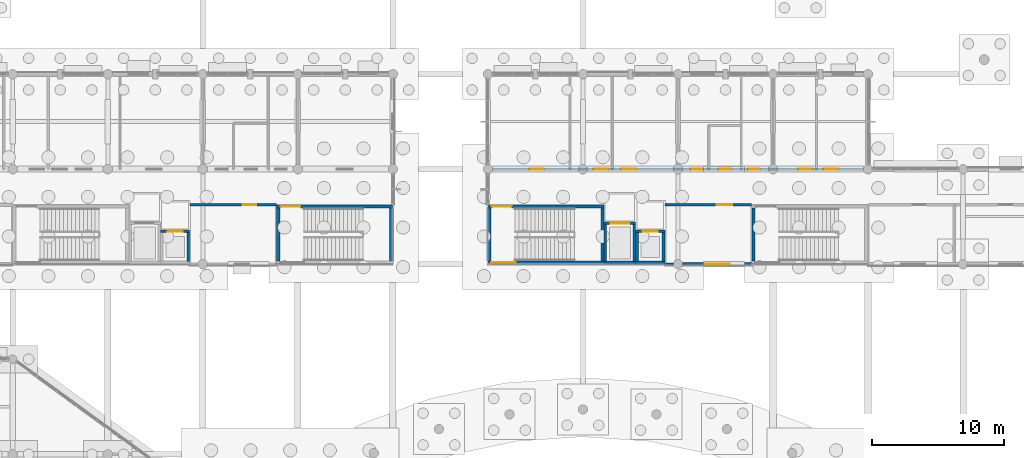
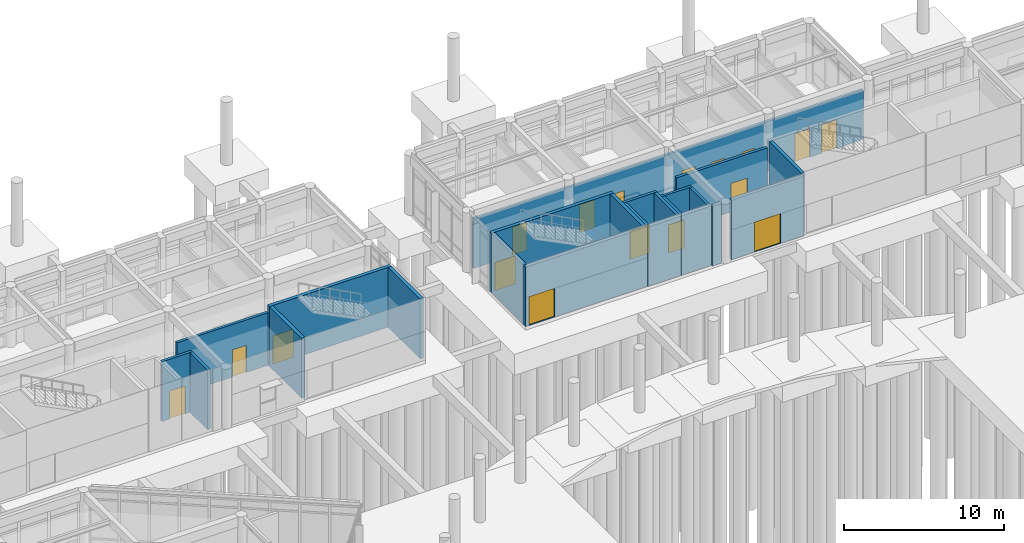
# One storey, part 59 of 103: 23 walls, 17 doors, 17 openings.
"""IFC4 building model written with IfcOpenShell, lengths in metres."""

from ifc_helpers import new_model, si_unit, direction, frame, frame_2d, origin, place, context, subcontext, project, spatial, rectangle, extrude, material, layer, layer_set, type_object, element, fill, save


model = new_model("IFC4")

# Units and contexts
model_context = context("Model", 3, precision=1e-05, world=origin(), true_north=direction((0.0, 1.0)))
body_context = subcontext(model_context, "Body", "Model", "MODEL_VIEW")
ifc_project = project(units=[si_unit("LENGTHUNIT", "METRE"), si_unit("AREAUNIT", "SQUARE_METRE"), si_unit("VOLUMEUNIT", "CUBIC_METRE"), si_unit("PLANEANGLEUNIT", "RADIAN"), si_unit("MASSUNIT", "GRAM", prefix="KILO")], contexts=[model_context])

# Site, building, storey
site_placement = place(None, origin())
site = spatial("IfcSite", under=ifc_project, at=site_placement, CompositionType="ELEMENT")
building_placement = place(site_placement, origin())
building = spatial("IfcBuilding", under=site, at=building_placement, Name="Namkhue Oval Health Centre", CompositionType="ELEMENT")
storey_placement = place(building_placement, origin())
storey = spatial("IfcBuildingStorey", under=building, at=storey_placement, Name="L00", CompositionType="ELEMENT", Elevation=0.0)

# Wall
ifc_material_1 = material(Name="Autoclaved aerated concrete blockwork M7.5", Category="masonry")
ifc_layer_1 = layer(ifc_material_1, 0.2099609375)
ifc_layer_set_1 = layer_set([ifc_layer_1], Name="Autoclaved aerated concrete blockwork M7.5")
wall_type_1 = type_object("IfcWallType", Name="EXTERIOR ENVELOPE WALL 210", PredefinedType="STANDARD", material=ifc_layer_set_1)
wall_1_placement = place(storey_placement, frame((107.001953125, 90.0, 0.0), z_axis=(0.0, 0.0, 1.0), x_axis=(1.0, 0.0, 0.0)))
element("IfcWall", 1, at=wall_1_placement, inside=storey, type_object=wall_type_1, Name="Volume V3 L00 Exterior Envelope Wall 52", PredefinedType="STANDARD", context=body_context, shape_type="SweptSolid", body=[
    extrude(rectangle(XDim=0.653076171875, YDim=0.2099609375, at=frame_2d((0.32666015625, 0.0))), origin(), (0.0, 0.0, 1.0), 4.534912109375),
])

# Wall, opening, door
ifc_layer_2 = layer(ifc_material_1, 0.219970703125)
ifc_layer_set_2 = layer_set([ifc_layer_2], Name="Autoclaved aerated concrete blockwork M7.5")
wall_type_2 = type_object("IfcWallType", Name="EXTERIOR ENVELOPE WALL 220", PredefinedType="STANDARD", material=ifc_layer_set_2)
wall_2_placement = place(storey_placement, frame((108.344970703125, 90.0, 0.0), z_axis=(0.0, 0.0, 1.0), x_axis=(1.0, 0.0, 0.0)))
wall_2 = element("IfcWall", 2, at=wall_2_placement, inside=storey, type_object=wall_type_2, Name="Volume V3 L00 Exterior Envelope Wall 53", PredefinedType="STANDARD", context=body_context, shape_type="SweptSolid", body=[
    extrude(rectangle(XDim=5.2529296875, YDim=0.219970703125, at=frame_2d((2.62646484375, 0.0))), origin(), (0.0, 0.0, 1.0), 4.534912109375),
])
opening_1_placement = place(wall_2_placement, frame((1.676513671875, 0.0, 0.0)))
opening_1 = element("IfcOpeningElement", 3, at=opening_1_placement, cuts=wall_2, Name="Opening ED-01", PredefinedType="OPENING", context=body_context, shape_type="SweptSolid", body=[
    extrude(rectangle(XDim=1.89990234375, YDim=2.280029296875, at=frame_2d((0.949951171875, 1.14013671875))), frame((0.0, 0.119873046875, 0.0), z_axis=(0.0, -1.0, 0.0), x_axis=(1.0, 0.0, 0.0)), (0.0, 0.0, 1.0), 0.239990234375),
])
ifc_material_2 = material(Name="Anodised aluminium glazed entrance door", Category="aluminium")
door_type_1 = type_object("IfcDoorType", Name="ENTRANCE DOOR 1900X2280", OperationType="DOUBLE_DOOR_SINGLE_SWING", PredefinedType="DOOR", material=ifc_material_2)
door_1_placement = place(opening_1_placement, frame((1.89990234375, 0.0, 0.0), z_axis=(0.0, 0.0, 1.0), x_axis=(-1.0, 0.0, 0.0)))
door_1 = element("IfcDoor", 4, at=door_1_placement, inside=storey, type_object=door_type_1, Name="Volume V3 Main Pedestrian Entrance Exit Door 7", OperationType="DOUBLE_DOOR_SINGLE_SWING", OverallHeight=2.280029296875, OverallWidth=1.89990234375, PredefinedType="DOOR", context=body_context, shape_type="SweptSolid", body=[
    extrude(rectangle(XDim=1.89990234375, YDim=2.280029296875, at=frame_2d((0.949951171875, 1.14013671875))), frame((0.0, 0.02490234375, 0.0), z_axis=(0.0, -1.0, 0.0), x_axis=(1.0, 0.0, 0.0)), (0.0, 0.0, 1.0), 0.050048828125),
])
fill(opening_1, door_1)

# Wall, openings, doors
ifc_material_3 = material(Name="Gypsum plasterboard acoustic partition", Category="gypsum")
ifc_layer_3 = layer(ifc_material_3, 0.18505859375)
ifc_layer_set_3 = layer_set([ifc_layer_3], Name="Gypsum plasterboard acoustic partition")
wall_type_3 = type_object("IfcWallType", Name="FIRE PARTITION WALL 185", PredefinedType="PARTITIONING", material=ifc_layer_set_3)
wall_3_placement = place(storey_placement, frame((93.949951171875, 97.199951171875, 0.0), z_axis=(0.0, 0.0, 1.0), x_axis=(1.0, 0.0, 0.0)))
wall_3 = element("IfcWall", 5, at=wall_3_placement, inside=storey, type_object=wall_type_3, Name="Volume V3 L00 Clinical Partition Wall 100", PredefinedType="PARTITIONING", context=body_context, shape_type="SweptSolid", body=[
    extrude(rectangle(XDim=28.10009765625, YDim=0.18505859375, at=frame_2d((14.050048828125, 0.0))), origin(), (0.0, 0.0, 1.0), 3.784912109375),
])
opening_2_placement = place(wall_3_placement, frame((2.8369140625, 0.0, 0.0)))
opening_2 = element("IfcOpeningElement", 6, at=opening_2_placement, cuts=wall_3, Name="Opening CD-10", PredefinedType="OPENING", context=body_context, shape_type="SweptSolid", body=[
    extrude(rectangle(XDim=1.050048828125, YDim=2.1298828125, at=frame_2d((0.52490234375, 1.06494140625))), frame((0.0, 0.1025390625, 0.0), z_axis=(0.0, -1.0, 0.0), x_axis=(1.0, 0.0, 0.0)), (0.0, 0.0, 1.0), 0.205078125),
])
opening_3_placement = place(wall_3_placement, frame((7.678955078125, 0.0, 0.0)))
opening_3 = element("IfcOpeningElement", 7, at=opening_3_placement, cuts=wall_3, Name="Opening CD-11", PredefinedType="OPENING", context=body_context, shape_type="SweptSolid", body=[
    extrude(rectangle(XDim=1.10009765625, YDim=2.1298828125, at=frame_2d((0.550048828125, 1.06494140625))), frame((0.0, 0.1025390625, 0.0), z_axis=(0.0, -1.0, 0.0), x_axis=(1.0, 0.0, 0.0)), (0.0, 0.0, 1.0), 0.205078125),
])
opening_4_placement = place(wall_3_placement, frame((9.7470703125, 0.0, 0.0)))
opening_4 = element("IfcOpeningElement", 8, at=opening_4_placement, cuts=wall_3, Name="Opening CD-12", PredefinedType="OPENING", context=body_context, shape_type="SweptSolid", body=[
    extrude(rectangle(XDim=1.14990234375, YDim=2.1298828125, at=frame_2d((0.574951171875, 1.06494140625))), frame((0.0, 0.1025390625, 0.0), z_axis=(0.0, -1.0, 0.0), x_axis=(1.0, 0.0, 0.0)), (0.0, 0.0, 1.0), 0.205078125),
])
opening_5_placement = place(wall_3_placement, frame((15.030029296875, 0.0, 0.0)))
opening_5 = element("IfcOpeningElement", 9, at=opening_5_placement, cuts=wall_3, Name="Opening CD-13", PredefinedType="OPENING", context=body_context, shape_type="SweptSolid", body=[
    extrude(rectangle(XDim=0.919921875, YDim=2.179931640625, at=frame_2d((0.4599609375, 1.08984375))), frame((0.0, 0.1025390625, 0.0), z_axis=(0.0, -1.0, 0.0), x_axis=(1.0, 0.0, 0.0)), (0.0, 0.0, 1.0), 0.205078125),
])
opening_6_placement = place(wall_3_placement, frame((17.14990234375, 0.0, 0.0)))
opening_6 = element("IfcOpeningElement", 10, at=opening_6_placement, cuts=wall_3, Name="Opening CD-02", PredefinedType="OPENING", context=body_context, shape_type="SweptSolid", body=[
    extrude(rectangle(XDim=0.93994140625, YDim=2.080078125, at=frame_2d((0.469970703125, 1.0400390625))), frame((0.0, 0.1025390625, 0.0), z_axis=(0.0, -1.0, 0.0), x_axis=(1.0, 0.0, 0.0)), (0.0, 0.0, 1.0), 0.205078125),
])
opening_7_placement = place(wall_3_placement, frame((19.360107421875, 0.0, 0.0)))
opening_7 = element("IfcOpeningElement", 11, at=opening_7_placement, cuts=wall_3, Name="Opening CD-01", PredefinedType="OPENING", context=body_context, shape_type="SweptSolid", body=[
    extrude(rectangle(XDim=0.89990234375, YDim=2.080078125, at=frame_2d((0.449951171875, 1.0400390625))), frame((0.0, 0.1025390625, 0.0), z_axis=(0.0, -1.0, 0.0), x_axis=(1.0, 0.0, 0.0)), (0.0, 0.0, 1.0), 0.205078125),
])
opening_8_placement = place(wall_3_placement, frame((23.1669921875, 0.0, 0.0)))
opening_8 = element("IfcOpeningElement", 12, at=opening_8_placement, cuts=wall_3, Name="Opening CD-16", PredefinedType="OPENING", context=body_context, shape_type="SweptSolid", body=[
    extrude(rectangle(XDim=1.080078125, YDim=2.179931640625, at=frame_2d((0.5400390625, 1.08984375))), frame((0.0, 0.1025390625, 0.0), z_axis=(0.0, -1.0, 0.0), x_axis=(1.0, 0.0, 0.0)), (0.0, 0.0, 1.0), 0.205078125),
])
opening_9_placement = place(wall_3_placement, frame((25.072021484375, 0.0, 0.0)))
opening_9 = element("IfcOpeningElement", 13, at=opening_9_placement, cuts=wall_3, Name="Opening CD-17", PredefinedType="OPENING", context=body_context, shape_type="SweptSolid", body=[
    extrude(rectangle(XDim=1.1298828125, YDim=2.179931640625, at=frame_2d((0.56494140625, 1.08984375))), frame((0.0, 0.1025390625, 0.0), z_axis=(0.0, -1.0, 0.0), x_axis=(1.0, 0.0, 0.0)), (0.0, 0.0, 1.0), 0.205078125),
])
ifc_material_4 = material(Name="High-pressure laminate timber clinical door", Category="wood")
door_type_2 = type_object("IfcDoorType", Name="CLINICAL DOOR 1050X2130", OperationType="NOTDEFINED", PredefinedType="DOOR", material=ifc_material_4)
door_2_placement = place(opening_2_placement, origin())
door_2 = element("IfcDoor", 14, at=door_2_placement, inside=storey, type_object=door_type_2, Name="Volume V3 L00 Specialist Outpatient Reception Door 82", OperationType="SINGLE_SWING_RIGHT", OverallHeight=2.1298828125, OverallWidth=1.050048828125, PredefinedType="DOOR", context=body_context, shape_type="SweptSolid", body=[
    extrude(rectangle(XDim=1.050048828125, YDim=2.1298828125, at=frame_2d((0.52490234375, 1.06494140625))), frame((0.0, 0.02490234375, 0.0), z_axis=(0.0, -1.0, 0.0), x_axis=(1.0, 0.0, 0.0)), (0.0, 0.0, 1.0), 0.050048828125),
])
fill(opening_2, door_2)
door_type_3 = type_object("IfcDoorType", Name="CLINICAL DOOR 1080X2180", OperationType="NOTDEFINED", PredefinedType="DOOR", material=ifc_material_4)
door_3_placement = place(opening_8_placement, origin())
door_3 = element("IfcDoor", 15, at=door_3_placement, inside=storey, type_object=door_type_3, Name="Volume V3 L00 Audiology ENT Examination Door 88", OperationType="SINGLE_SWING_RIGHT", OverallHeight=2.179931640625, OverallWidth=1.080078125, PredefinedType="DOOR", context=body_context, shape_type="SweptSolid", body=[
    extrude(rectangle(XDim=1.080078125, YDim=2.179931640625, at=frame_2d((0.5400390625, 1.08984375))), frame((0.0, 0.02490234375, 0.0), z_axis=(0.0, -1.0, 0.0), x_axis=(1.0, 0.0, 0.0)), (0.0, 0.0, 1.0), 0.050048828125),
])
fill(opening_8, door_3)
door_type_4 = type_object("IfcDoorType", Name="CLINICAL DOOR 1100X2130", OperationType="NOTDEFINED", PredefinedType="DOOR", material=ifc_material_4)
door_4_placement = place(opening_3_placement, origin())
door_4 = element("IfcDoor", 16, at=door_4_placement, inside=storey, type_object=door_type_4, Name="Volume V3 L00 Communications Plant Room Door 83", OperationType="SINGLE_SWING_RIGHT", OverallHeight=2.1298828125, OverallWidth=1.10009765625, PredefinedType="DOOR", context=body_context, shape_type="SweptSolid", body=[
    extrude(rectangle(XDim=1.10009765625, YDim=2.1298828125, at=frame_2d((0.550048828125, 1.06494140625))), frame((0.0, 0.02490234375, 0.0), z_axis=(0.0, -1.0, 0.0), x_axis=(1.0, 0.0, 0.0)), (0.0, 0.0, 1.0), 0.050048828125),
])
fill(opening_3, door_4)
door_type_5 = type_object("IfcDoorType", Name="CLINICAL DOOR 1130X2180", OperationType="NOTDEFINED", PredefinedType="DOOR", material=ifc_material_4)
door_5_placement = place(opening_9_placement, origin())
door_5 = element("IfcDoor", 17, at=door_5_placement, inside=storey, type_object=door_type_5, Name="Volume V3 L00 Cardiology Echocardiography Room Door 89", OperationType="SINGLE_SWING_LEFT", OverallHeight=2.179931640625, OverallWidth=1.1298828125, PredefinedType="DOOR", context=body_context, shape_type="SweptSolid", body=[
    extrude(rectangle(XDim=1.1298828125, YDim=2.179931640625, at=frame_2d((0.56494140625, 1.08984375))), frame((0.0, 0.02490234375, 0.0), z_axis=(0.0, -1.0, 0.0), x_axis=(1.0, 0.0, 0.0)), (0.0, 0.0, 1.0), 0.050048828125),
])
fill(opening_9, door_5)
door_type_6 = type_object("IfcDoorType", Name="CLINICAL DOOR 1150X2130", OperationType="NOTDEFINED", PredefinedType="DOOR", material=ifc_material_4)
door_6_placement = place(opening_4_placement, origin())
door_6 = element("IfcDoor", 18, at=door_6_placement, inside=storey, type_object=door_type_6, Name="Volume V3 L00 Ophthalmology Vision Clinic Door 84", OperationType="SINGLE_SWING_RIGHT", OverallHeight=2.1298828125, OverallWidth=1.14990234375, PredefinedType="DOOR", context=body_context, shape_type="SweptSolid", body=[
    extrude(rectangle(XDim=1.14990234375, YDim=2.1298828125, at=frame_2d((0.574951171875, 1.06494140625))), frame((0.0, 0.02490234375, 0.0), z_axis=(0.0, -1.0, 0.0), x_axis=(1.0, 0.0, 0.0)), (0.0, 0.0, 1.0), 0.050048828125),
])
fill(opening_4, door_6)
door_type_7 = type_object("IfcDoorType", Name="CLINICAL DOOR 900X2080", OperationType="NOTDEFINED", PredefinedType="DOOR", material=ifc_material_4)
door_7_placement = place(opening_7_placement, origin())
door_7 = element("IfcDoor", 19, at=door_7_placement, inside=storey, type_object=door_type_7, Name="Volume V3 L00 Public Washroom Door 87", OperationType="SINGLE_SWING_LEFT", OverallHeight=2.080078125, OverallWidth=0.89990234375, PredefinedType="DOOR", context=body_context, shape_type="SweptSolid", body=[
    extrude(rectangle(XDim=0.89990234375, YDim=2.080078125, at=frame_2d((0.449951171875, 1.0400390625))), frame((0.0, 0.02490234375, 0.0), z_axis=(0.0, -1.0, 0.0), x_axis=(1.0, 0.0, 0.0)), (0.0, 0.0, 1.0), 0.050048828125),
])
fill(opening_7, door_7)
door_type_8 = type_object("IfcDoorType", Name="CLINICAL DOOR 920X2180", OperationType="NOTDEFINED", PredefinedType="DOOR", material=ifc_material_4)
door_8_placement = place(opening_5_placement, origin())
door_8 = element("IfcDoor", 20, at=door_8_placement, inside=storey, type_object=door_type_8, Name="Volume V3 L00 Outpatient Clean Utility Room Door 85", OperationType="SINGLE_SWING_RIGHT", OverallHeight=2.179931640625, OverallWidth=0.919921875, PredefinedType="DOOR", context=body_context, shape_type="SweptSolid", body=[
    extrude(rectangle(XDim=0.919921875, YDim=2.179931640625, at=frame_2d((0.4599609375, 1.08984375))), frame((0.0, 0.02490234375, 0.0), z_axis=(0.0, -1.0, 0.0), x_axis=(1.0, 0.0, 0.0)), (0.0, 0.0, 1.0), 0.050048828125),
])
fill(opening_5, door_8)
door_type_9 = type_object("IfcDoorType", Name="CLINICAL DOOR 940X2080", OperationType="NOTDEFINED", PredefinedType="DOOR", material=ifc_material_4)
door_9_placement = place(opening_6_placement, origin())
door_9 = element("IfcDoor", 21, at=door_9_placement, inside=storey, type_object=door_type_9, Name="Volume V3 L00 Accessible WC Door 86", OperationType="SINGLE_SWING_RIGHT", OverallHeight=2.080078125, OverallWidth=0.93994140625, PredefinedType="DOOR", context=body_context, shape_type="SweptSolid", body=[
    extrude(rectangle(XDim=0.93994140625, YDim=2.080078125, at=frame_2d((0.469970703125, 1.0400390625))), frame((0.0, 0.02490234375, 0.0), z_axis=(0.0, -1.0, 0.0), x_axis=(1.0, 0.0, 0.0)), (0.0, 0.0, 1.0), 0.050048828125),
])
fill(opening_6, door_9)

# Wall, opening, door
ifc_layer_4 = layer(ifc_material_3, 0.195068359375)
ifc_layer_set_4 = layer_set([ifc_layer_4], Name="Gypsum plasterboard acoustic partition")
wall_type_4 = type_object("IfcWallType", Name="FIRE PARTITION WALL 195", PredefinedType="PARTITIONING", material=ifc_layer_set_4)
wall_4_placement = place(storey_placement, frame((71.02001953125, 94.5, 0.0), z_axis=(0.0, 0.0, 1.0), x_axis=(1.0, 0.0, 0.0)))
wall_4 = element("IfcWall", 22, at=wall_4_placement, inside=storey, type_object=wall_type_4, Name="Volume V2 L00 Clinical Partition Wall 45", PredefinedType="PARTITIONING", context=body_context, shape_type="SweptSolid", body=[
    extrude(rectangle(XDim=6.56005859375, YDim=0.195068359375, at=frame_2d((3.280029296875, 0.0))), origin(), (0.0, 0.0, 1.0), 4.010009765625),
])
opening_10_placement = place(wall_4_placement, frame((4.010009765625, 0.0, 0.0)))
opening_10 = element("IfcOpeningElement", 23, at=opening_10_placement, cuts=wall_4, Name="Opening CD-04", PredefinedType="OPENING", context=body_context, shape_type="SweptSolid", body=[
    extrude(rectangle(XDim=1.02001953125, YDim=2.080078125, at=frame_2d((0.510009765625, 1.0400390625))), frame((0.0, 0.107421875, 0.0), z_axis=(0.0, -1.0, 0.0), x_axis=(1.0, 0.0, 0.0)), (0.0, 0.0, 1.0), 0.215087890625),
])
door_type_10 = type_object("IfcDoorType", Name="CLINICAL DOOR 1020X2080", OperationType="NOTDEFINED", PredefinedType="DOOR", material=ifc_material_4)
door_10_placement = place(opening_10_placement, frame((1.02001953125, 0.0, 0.0), z_axis=(0.0, 0.0, 1.0), x_axis=(-1.0, 0.0, 0.0)))
door_10 = element("IfcDoor", 24, at=door_10_placement, inside=storey, type_object=door_type_10, Name="Volume V2 L00 Fever Screening Examination Room Door 32", OperationType="SINGLE_SWING_RIGHT", OverallHeight=2.080078125, OverallWidth=1.02001953125, PredefinedType="DOOR", context=body_context, shape_type="SweptSolid", body=[
    extrude(rectangle(XDim=1.02001953125, YDim=2.080078125, at=frame_2d((0.510009765625, 1.0400390625))), frame((0.0, 0.02490234375, 0.0), z_axis=(0.0, -1.0, 0.0), x_axis=(1.0, 0.0, 0.0)), (0.0, 0.0, 1.0), 0.050048828125),
])
fill(opening_10, door_10)

ifc_layer_5 = layer(ifc_material_3, 0.205078125)
ifc_layer_set_5 = layer_set([ifc_layer_5], Name="Gypsum plasterboard acoustic partition")
wall_type_5 = type_object("IfcWallType", Name="FIRE PARTITION WALL 205", PredefinedType="PARTITIONING", material=ifc_layer_set_5)
wall_5_placement = place(storey_placement, frame((107.02001953125, 94.5, 0.0), z_axis=(0.0, 0.0, 1.0), x_axis=(1.0, 0.0, 0.0)))
wall_5 = element("IfcWall", 25, at=wall_5_placement, inside=storey, type_object=wall_type_5, Name="Volume V3 L00 Clinical Partition Wall 109", PredefinedType="PARTITIONING", context=body_context, shape_type="SweptSolid", body=[
    extrude(rectangle(XDim=6.56005859375, YDim=0.205078125, at=frame_2d((3.280029296875, 0.0))), origin(), (0.0, 0.0, 1.0), 3.985107421875),
])
opening_11_placement = place(wall_5_placement, frame((3.929931640625, 0.0, 0.0)))
opening_11 = element("IfcOpeningElement", 26, at=opening_11_placement, cuts=wall_5, Name="Opening CD-18", PredefinedType="OPENING", context=body_context, shape_type="SweptSolid", body=[
    extrude(rectangle(XDim=1.179931640625, YDim=2.179931640625, at=frame_2d((0.58984375, 1.08984375))), frame((0.0, 0.112548828125, 0.0), z_axis=(0.0, -1.0, 0.0), x_axis=(1.0, 0.0, 0.0)), (0.0, 0.0, 1.0), 0.22509765625),
])
door_type_11 = type_object("IfcDoorType", Name="CLINICAL DOOR 1180X2180", OperationType="NOTDEFINED", PredefinedType="DOOR", material=ifc_material_4)
door_11_placement = place(opening_11_placement, frame((1.179931640625, 0.0, 0.0), z_axis=(0.0, 0.0, 1.0), x_axis=(-1.0, 0.0, 0.0)))
door_11 = element("IfcDoor", 27, at=door_11_placement, inside=storey, type_object=door_type_11, Name="Volume V3 L00 Refraction Optometry Room Door 90", OperationType="SINGLE_SWING_RIGHT", OverallHeight=2.179931640625, OverallWidth=1.179931640625, PredefinedType="DOOR", context=body_context, shape_type="SweptSolid", body=[
    extrude(rectangle(XDim=1.179931640625, YDim=2.179931640625, at=frame_2d((0.58984375, 1.08984375))), frame((0.0, 0.02490234375, 0.0), z_axis=(0.0, -1.0, 0.0), x_axis=(1.0, 0.0, 0.0)), (0.0, 0.0, 1.0), 0.050048828125),
])
fill(opening_11, door_11)

# Wall
ifc_material_5 = material(Name="Reinforced concrete C35/45 (TCVN B40)", Category="concrete")
ifc_layer_6 = layer(ifc_material_5, 0.25)
ifc_layer_set_6 = layer_set([ifc_layer_6], Name="Reinforced concrete C35/45 (TCVN B40)")
wall_type_6 = type_object("IfcWallType", Name="SHEAR CORE WALL EXT 250", PredefinedType="SHEAR", material=ifc_layer_set_6)
wall_6_placement = place(storey_placement, frame((86.27490234375, 90.25, 0.0), z_axis=(0.0, 0.0, 1.0), x_axis=(0.0, 1.0, 0.0)))
element("IfcWall", 28, at=wall_6_placement, inside=storey, type_object=wall_type_6, Name="Core SC-04 L00 Shear Wall E", PredefinedType="SHEAR", context=body_context, shape_type="SweptSolid", body=[
    extrude(rectangle(XDim=4.0, YDim=0.25, at=frame_2d((2.0, 0.0))), origin(), (0.0, 0.0, 1.0), 4.56005859375),
])

# Wall, opening, door
wall_7_placement = place(storey_placement, frame((93.60009765625, 90.125, 0.0), z_axis=(0.0, 0.0, 1.0), x_axis=(1.0, 0.0, 0.0)))
wall_7 = element("IfcWall", 29, at=wall_7_placement, inside=storey, type_object=wall_type_6, Name="Core SC-05 L00 Shear Wall S", PredefinedType="SHEAR", context=body_context, shape_type="SweptSolid", body=[
    extrude(rectangle(XDim=8.7998046875, YDim=0.25, at=frame_2d((4.39990234375, 0.0))), origin(), (0.0, 0.0, 1.0), 4.534912109375),
])
opening_12_placement = place(wall_7_placement, frame((0.25, 0.0, 0.0)))
opening_12 = element("IfcOpeningElement", 30, at=opening_12_placement, cuts=wall_7, Name="Opening SD-E1", PredefinedType="OPENING", context=body_context, shape_type="SweptSolid", body=[
    extrude(rectangle(XDim=1.85009765625, YDim=2.199951171875, at=frame_2d((0.925048828125, 1.10009765625))), frame((0.0, 0.135009765625, 0.0), z_axis=(0.0, -1.0, 0.0), x_axis=(1.0, 0.0, 0.0)), (0.0, 0.0, 1.0), 0.27001953125),
])
ifc_material_6 = material(Name="Powder-coated steel fire door assembly", Category="steel")
door_type_12 = type_object("IfcDoorType", Name="ENTRANCE DOOR STAIR EXIT 1850X2200", OperationType="DOUBLE_DOOR_SINGLE_SWING", PredefinedType="DOOR", material=ifc_material_6)
door_12_placement = place(opening_12_placement, frame((1.85009765625, 0.0, 0.0), z_axis=(0.0, 0.0, 1.0), x_axis=(-1.0, 0.0, 0.0)))
door_12 = element("IfcDoor", 31, at=door_12_placement, inside=storey, type_object=door_type_12, Name="Stair ST-05 Ground Final Exit Discharge Door", OperationType="DOUBLE_DOOR_SINGLE_SWING", OverallHeight=2.199951171875, OverallWidth=1.85009765625, PredefinedType="DOOR", context=body_context, shape_type="SweptSolid", body=[
    extrude(rectangle(XDim=1.85009765625, YDim=2.199951171875, at=frame_2d((0.925048828125, 1.10009765625))), frame((0.0, 0.02490234375, 0.0), z_axis=(0.0, -1.0, 0.0), x_axis=(1.0, 0.0, 0.0)), (0.0, 0.0, 1.0), 0.050048828125),
])
fill(opening_12, door_12)

# Walls
wall_8_placement = place(storey_placement, frame((93.72509765625, 94.25, 0.0), z_axis=(0.0, 0.0, 1.0), x_axis=(0.0, -1.0, 0.0)))
element("IfcWall", 32, at=wall_8_placement, inside=storey, type_object=wall_type_6, Name="Core SC-05 L00 Shear Wall W", PredefinedType="SHEAR", context=body_context, shape_type="SweptSolid", body=[
    extrude(rectangle(XDim=4.0, YDim=0.25, at=frame_2d((2.0, 0.0))), origin(), (0.0, 0.0, 1.0), 4.534912109375),
])
wall_9_placement = place(storey_placement, frame((102.39990234375, 90.10009765625, 0.0), z_axis=(0.0, 0.0, 1.0), x_axis=(1.0, 0.0, 0.0)))
element("IfcWall", 33, at=wall_9_placement, inside=storey, type_object=wall_type_6, Name="Lift LF-03 L00 Shaft Wall S", PredefinedType="SHEAR", context=body_context, shape_type="SweptSolid", body=[
    extrude(rectangle(XDim=2.400146484375, YDim=0.25, at=frame_2d((1.2001953125, 0.0))), origin(), (0.0, 0.0, 1.0), 4.534912109375),
])
wall_10_placement = place(storey_placement, frame((104.800048828125, 90.10009765625, 0.0), z_axis=(0.0, 0.0, 1.0), x_axis=(1.0, 0.0, 0.0)))
element("IfcWall", 34, at=wall_10_placement, inside=storey, type_object=wall_type_6, Name="Lift LF-04 L00 Shaft Wall S", PredefinedType="SHEAR", context=body_context, shape_type="SweptSolid", body=[
    extrude(rectangle(XDim=2.199951171875, YDim=0.25, at=frame_2d((1.10009765625, 0.0))), origin(), (0.0, 0.0, 1.0), 4.534912109375),
])
ifc_layer_7 = layer(ifc_material_5, 0.199951171875)
ifc_layer_set_7 = layer_set([ifc_layer_7], Name="Reinforced concrete C35/45 (TCVN B40)")
wall_type_7 = type_object("IfcWallType", Name="SHEAR CORE WALL INT 200", PredefinedType="SHEAR", material=ifc_layer_set_7)
wall_11_placement = place(storey_placement, frame((70.89990234375, 90.199951171875, 0.0), z_axis=(0.0, 0.0, 1.0), x_axis=(0.0, 1.0, 0.0)))
element("IfcWall", 35, at=wall_11_placement, inside=storey, type_object=wall_type_7, Name="Lift LF-02 L00 Shaft Wall E", PredefinedType="SHEAR", context=body_context, shape_type="SweptSolid", body=[
    extrude(rectangle(XDim=2.199951171875, YDim=0.199951171875, at=frame_2d((1.10009765625, 0.0))), origin(), (0.0, 0.0, 1.0), 4.56005859375),
])

# Wall, opening, door
wall_12_placement = place(storey_placement, frame((71.0, 92.5, 0.0), z_axis=(0.0, 0.0, 1.0), x_axis=(-1.0, 0.0, 0.0)))
wall_12 = element("IfcWall", 36, at=wall_12_placement, inside=storey, type_object=wall_type_7, Name="Lift LF-02 L00 Shaft Wall N", PredefinedType="SHEAR", context=body_context, shape_type="SweptSolid", body=[
    extrude(rectangle(XDim=2.199951171875, YDim=0.199951171875, at=frame_2d((1.10009765625, 0.0))), origin(), (0.0, 0.0, 1.0), 4.56005859375),
])
opening_13_placement = place(wall_12_placement, frame((0.52490234375, 0.0, 0.0)))
opening_13 = element("IfcOpeningElement", 37, at=opening_13_placement, cuts=wall_12, Name="Opening LD-02", PredefinedType="OPENING", context=body_context, shape_type="SweptSolid", body=[
    extrude(rectangle(XDim=1.14990234375, YDim=2.14990234375, at=frame_2d((0.574951171875, 1.074951171875))), frame((0.0, 0.10986328125, 0.0), z_axis=(0.0, -1.0, 0.0), x_axis=(1.0, 0.0, 0.0)), (0.0, 0.0, 1.0), 0.219970703125),
])
door_type_13 = type_object("IfcDoorType", Name="LIFT LANDING DOOR PASSENGER 1150X2150", OperationType="DOUBLE_DOOR_SLIDING", PredefinedType="DOOR", material=ifc_material_6)
door_13_placement = place(opening_13_placement, frame((1.14990234375, 0.0, 0.0), z_axis=(0.0, 0.0, 1.0), x_axis=(-1.0, 0.0, 0.0)))
door_13 = element("IfcDoor", 38, at=door_13_placement, inside=storey, type_object=door_type_13, Name="Lift LF-02 L00 Sliding Landing Door", OperationType="DOUBLE_DOOR_SLIDING", OverallHeight=2.14990234375, OverallWidth=1.14990234375, PredefinedType="DOOR", context=body_context, shape_type="SweptSolid", body=[
    extrude(rectangle(XDim=1.14990234375, YDim=2.14990234375, at=frame_2d((0.574951171875, 1.074951171875))), frame((0.0, 0.02490234375, 0.0), z_axis=(0.0, -1.0, 0.0), x_axis=(1.0, 0.0, 0.0)), (0.0, 0.0, 1.0), 0.050048828125),
])
fill(opening_13, door_13)

# Wall
wall_13_placement = place(storey_placement, frame((104.699951171875, 90.199951171875, 0.0), z_axis=(0.0, 0.0, 1.0), x_axis=(0.0, 1.0, 0.0)))
element("IfcWall", 39, at=wall_13_placement, inside=storey, type_object=wall_type_7, Name="Lift LF-03 L00 Shaft Wall E", PredefinedType="SHEAR", context=body_context, shape_type="SweptSolid", body=[
    extrude(rectangle(XDim=2.800048828125, YDim=0.199951171875, at=frame_2d((1.39990234375, 0.0))), origin(), (0.0, 0.0, 1.0), 4.534912109375),
])

# Wall, opening, door
wall_14_placement = place(storey_placement, frame((104.800048828125, 93.10009765625, 0.0), z_axis=(0.0, 0.0, 1.0), x_axis=(-1.0, 0.0, 0.0)))
wall_14 = element("IfcWall", 40, at=wall_14_placement, inside=storey, type_object=wall_type_7, Name="Lift LF-03 L00 Shaft Wall N", PredefinedType="SHEAR", context=body_context, shape_type="SweptSolid", body=[
    extrude(rectangle(XDim=2.400146484375, YDim=0.199951171875, at=frame_2d((1.2001953125, 0.0))), origin(), (0.0, 0.0, 1.0), 4.534912109375),
])
opening_14_placement = place(wall_14_placement, frame((0.5, 0.0, 0.0)))
opening_14 = element("IfcOpeningElement", 41, at=opening_14_placement, cuts=wall_14, Name="Opening LD-01", PredefinedType="OPENING", context=body_context, shape_type="SweptSolid", body=[
    extrude(rectangle(XDim=1.39990234375, YDim=2.14990234375, at=frame_2d((0.699951171875, 1.074951171875))), frame((0.0, 0.10986328125, 0.0), z_axis=(0.0, -1.0, 0.0), x_axis=(1.0, 0.0, 0.0)), (0.0, 0.0, 1.0), 0.219970703125),
])
door_type_14 = type_object("IfcDoorType", Name="LIFT LANDING DOOR STRETCHER 1400X2150", OperationType="DOUBLE_DOOR_SLIDING", PredefinedType="DOOR", material=ifc_material_6)
door_14_placement = place(opening_14_placement, frame((1.39990234375, 0.0, 0.0), z_axis=(0.0, 0.0, 1.0), x_axis=(-1.0, 0.0, 0.0)))
door_14 = element("IfcDoor", 42, at=door_14_placement, inside=storey, type_object=door_type_14, Name="Lift LF-03 L00 Sliding Landing Door", OperationType="DOUBLE_DOOR_SLIDING", OverallHeight=2.14990234375, OverallWidth=1.39990234375, PredefinedType="DOOR", context=body_context, shape_type="SweptSolid", body=[
    extrude(rectangle(XDim=1.39990234375, YDim=2.14990234375, at=frame_2d((0.699951171875, 1.074951171875))), frame((0.0, 0.02490234375, 0.0), z_axis=(0.0, -1.0, 0.0), x_axis=(1.0, 0.0, 0.0)), (0.0, 0.0, 1.0), 0.050048828125),
])
fill(opening_14, door_14)

# Walls
wall_15_placement = place(storey_placement, frame((102.5, 93.0, 0.0), z_axis=(0.0, 0.0, 1.0), x_axis=(0.0, -1.0, 0.0)))
element("IfcWall", 43, at=wall_15_placement, inside=storey, type_object=wall_type_7, Name="Lift LF-03 L00 Shaft Wall W", PredefinedType="SHEAR", context=body_context, shape_type="SweptSolid", body=[
    extrude(rectangle(XDim=2.800048828125, YDim=0.199951171875, at=frame_2d((1.39990234375, 0.0))), origin(), (0.0, 0.0, 1.0), 4.534912109375),
])
wall_16_placement = place(storey_placement, frame((106.89990234375, 90.199951171875, 0.0), z_axis=(0.0, 0.0, 1.0), x_axis=(0.0, 1.0, 0.0)))
element("IfcWall", 44, at=wall_16_placement, inside=storey, type_object=wall_type_7, Name="Lift LF-04 L00 Shaft Wall E", PredefinedType="SHEAR", context=body_context, shape_type="SweptSolid", body=[
    extrude(rectangle(XDim=2.199951171875, YDim=0.199951171875, at=frame_2d((1.10009765625, 0.0))), origin(), (0.0, 0.0, 1.0), 4.534912109375),
])

# Wall, opening, door
wall_17_placement = place(storey_placement, frame((107.0, 92.5, 0.0), z_axis=(0.0, 0.0, 1.0), x_axis=(-1.0, 0.0, 0.0)))
wall_17 = element("IfcWall", 45, at=wall_17_placement, inside=storey, type_object=wall_type_7, Name="Lift LF-04 L00 Shaft Wall N", PredefinedType="SHEAR", context=body_context, shape_type="SweptSolid", body=[
    extrude(rectangle(XDim=2.199951171875, YDim=0.199951171875, at=frame_2d((1.10009765625, 0.0))), origin(), (0.0, 0.0, 1.0), 4.534912109375),
])
opening_15_placement = place(wall_17_placement, frame((0.52490234375, 0.0, 0.0)))
opening_15 = element("IfcOpeningElement", 46, at=opening_15_placement, cuts=wall_17, Name="Opening LD-02", PredefinedType="OPENING", context=body_context, shape_type="SweptSolid", body=[
    extrude(rectangle(XDim=1.14990234375, YDim=2.14990234375, at=frame_2d((0.574951171875, 1.074951171875))), frame((0.0, 0.10986328125, 0.0), z_axis=(0.0, -1.0, 0.0), x_axis=(1.0, 0.0, 0.0)), (0.0, 0.0, 1.0), 0.219970703125),
])
door_15_placement = place(opening_15_placement, frame((1.14990234375, 0.0, 0.0), z_axis=(0.0, 0.0, 1.0), x_axis=(-1.0, 0.0, 0.0)))
door_15 = element("IfcDoor", 47, at=door_15_placement, inside=storey, type_object=door_type_13, Name="Lift LF-04 L00 Sliding Landing Door", OperationType="DOUBLE_DOOR_SLIDING", OverallHeight=2.14990234375, OverallWidth=1.14990234375, PredefinedType="DOOR", context=body_context, shape_type="SweptSolid", body=[
    extrude(rectangle(XDim=1.14990234375, YDim=2.14990234375, at=frame_2d((0.574951171875, 1.074951171875))), frame((0.0, 0.02490234375, 0.0), z_axis=(0.0, -1.0, 0.0), x_axis=(1.0, 0.0, 0.0)), (0.0, 0.0, 1.0), 0.050048828125),
])
fill(opening_15, door_15)

# Wall
wall_18_placement = place(storey_placement, frame((104.89990234375, 92.39990234375, 0.0), z_axis=(0.0, 0.0, 1.0), x_axis=(0.0, -1.0, 0.0)))
element("IfcWall", 48, at=wall_18_placement, inside=storey, type_object=wall_type_7, Name="Lift LF-04 L00 Shaft Wall W", PredefinedType="SHEAR", context=body_context, shape_type="SweptSolid", body=[
    extrude(rectangle(XDim=2.199951171875, YDim=0.199951171875, at=frame_2d((1.10009765625, 0.0))), origin(), (0.0, 0.0, 1.0), 4.534912109375),
])

# Wall, opening, door
ifc_layer_8 = layer(ifc_material_5, 0.25)
ifc_layer_set_8 = layer_set([ifc_layer_8], Name="Reinforced concrete C35/45 (TCVN B40)")
wall_type_8 = type_object("IfcWallType", Name="SHEAR CORE WALL INT 250", PredefinedType="SHEAR", material=ifc_layer_set_8)
wall_19_placement = place(storey_placement, frame((86.39990234375, 94.375, 0.0), z_axis=(0.0, 0.0, 1.0), x_axis=(-1.0, 0.0, 0.0)))
wall_19 = element("IfcWall", 49, at=wall_19_placement, inside=storey, type_object=wall_type_8, Name="Core SC-04 L00 Shear Wall N", PredefinedType="SHEAR", context=body_context, shape_type="SweptSolid", body=[
    extrude(rectangle(XDim=8.7998046875, YDim=0.25, at=frame_2d((4.39990234375, 0.0))), origin(), (0.0, 0.0, 1.0), 4.56005859375),
])
opening_16_placement = place(wall_19_placement, frame((7.0, 0.0, 0.0)))
opening_16 = element("IfcOpeningElement", 50, at=opening_16_placement, cuts=wall_19, Name="Opening SD-I1", PredefinedType="OPENING", context=body_context, shape_type="SweptSolid", body=[
    extrude(rectangle(XDim=1.5, YDim=2.14990234375, at=frame_2d((0.75, 1.074951171875))), frame((0.0, 0.135009765625, 0.0), z_axis=(0.0, -1.0, 0.0), x_axis=(1.0, 0.0, 0.0)), (0.0, 0.0, 1.0), 0.27001953125),
])
door_type_15 = type_object("IfcDoorType", Name="CLINICAL DOOR STAIR CORE 1500X2150", OperationType="DOUBLE_DOOR_SINGLE_SWING", PredefinedType="DOOR", material=ifc_material_6)
door_16_placement = place(opening_16_placement, origin())
door_16 = element("IfcDoor", 51, at=door_16_placement, inside=storey, type_object=door_type_15, Name="Stair ST-04 L00 Stair Enclosure Fire Door", OperationType="DOUBLE_DOOR_SINGLE_SWING", OverallHeight=2.14990234375, OverallWidth=1.5, PredefinedType="DOOR", context=body_context, shape_type="SweptSolid", body=[
    extrude(rectangle(XDim=1.5, YDim=2.14990234375, at=frame_2d((0.75, 1.074951171875))), frame((0.0, 0.02490234375, 0.0), z_axis=(0.0, -1.0, 0.0), x_axis=(1.0, 0.0, 0.0)), (0.0, 0.0, 1.0), 0.050048828125),
])
fill(opening_16, door_16)

# Walls
wall_20_placement = place(storey_placement, frame((77.72509765625, 94.25, 0.0), z_axis=(0.0, 0.0, 1.0), x_axis=(0.0, -1.0, 0.0)))
element("IfcWall", 52, at=wall_20_placement, inside=storey, type_object=wall_type_8, Name="Core SC-04 L00 Shear Wall W", PredefinedType="SHEAR", context=body_context, shape_type="SweptSolid", body=[
    extrude(rectangle(XDim=4.0, YDim=0.25, at=frame_2d((2.0, 0.0))), origin(), (0.0, 0.0, 1.0), 4.56005859375),
])
wall_21_placement = place(storey_placement, frame((102.27490234375, 90.25, 0.0), z_axis=(0.0, 0.0, 1.0), x_axis=(0.0, 1.0, 0.0)))
element("IfcWall", 53, at=wall_21_placement, inside=storey, type_object=wall_type_8, Name="Core SC-05 L00 Shear Wall E", PredefinedType="SHEAR", context=body_context, shape_type="SweptSolid", body=[
    extrude(rectangle(XDim=4.0, YDim=0.25, at=frame_2d((2.0, 0.0))), origin(), (0.0, 0.0, 1.0), 4.534912109375),
])

# Wall, opening, door
wall_22_placement = place(storey_placement, frame((102.39990234375, 94.375, 0.0), z_axis=(0.0, 0.0, 1.0), x_axis=(-1.0, 0.0, 0.0)))
wall_22 = element("IfcWall", 54, at=wall_22_placement, inside=storey, type_object=wall_type_8, Name="Core SC-05 L00 Shear Wall N", PredefinedType="SHEAR", context=body_context, shape_type="SweptSolid", body=[
    extrude(rectangle(XDim=8.7998046875, YDim=0.25, at=frame_2d((4.39990234375, 0.0))), origin(), (0.0, 0.0, 1.0), 4.534912109375),
])
opening_17_placement = place(wall_22_placement, frame((7.0, 0.0, 0.0)))
opening_17 = element("IfcOpeningElement", 55, at=opening_17_placement, cuts=wall_22, Name="Opening SD-I1", PredefinedType="OPENING", context=body_context, shape_type="SweptSolid", body=[
    extrude(rectangle(XDim=1.5, YDim=2.14990234375, at=frame_2d((0.75, 1.074951171875))), frame((0.0, 0.135009765625, 0.0), z_axis=(0.0, -1.0, 0.0), x_axis=(1.0, 0.0, 0.0)), (0.0, 0.0, 1.0), 0.27001953125),
])
door_17_placement = place(opening_17_placement, origin())
door_17 = element("IfcDoor", 56, at=door_17_placement, inside=storey, type_object=door_type_15, Name="Stair ST-05 L00 Stair Enclosure Fire Door", OperationType="DOUBLE_DOOR_SINGLE_SWING", OverallHeight=2.14990234375, OverallWidth=1.5, PredefinedType="DOOR", context=body_context, shape_type="SweptSolid", body=[
    extrude(rectangle(XDim=1.5, YDim=2.14990234375, at=frame_2d((0.75, 1.074951171875))), frame((0.0, 0.02490234375, 0.0), z_axis=(0.0, -1.0, 0.0), x_axis=(1.0, 0.0, 0.0)), (0.0, 0.0, 1.0), 0.050048828125),
])
fill(opening_17, door_17)

# Wall
wall_23_placement = place(storey_placement, frame((113.72509765625, 94.25, 0.0), z_axis=(0.0, 0.0, 1.0), x_axis=(0.0, -1.0, 0.0)))
element("IfcWall", 57, at=wall_23_placement, inside=storey, type_object=wall_type_8, Name="Core SC-06 L00 Shear Wall W", PredefinedType="SHEAR", context=body_context, shape_type="SweptSolid", body=[
    extrude(rectangle(XDim=4.0, YDim=0.25, at=frame_2d((2.0, 0.0))), origin(), (0.0, 0.0, 1.0), 4.534912109375),
])

save(model, "model.ifc")
